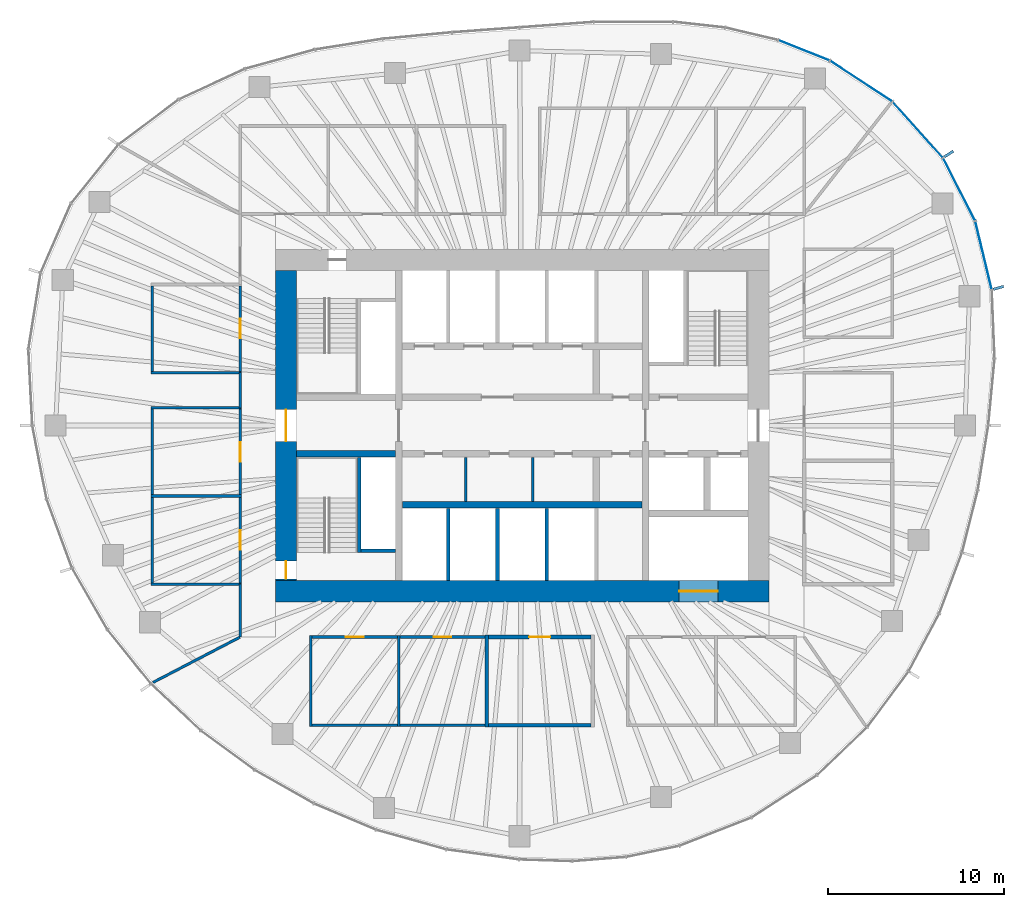
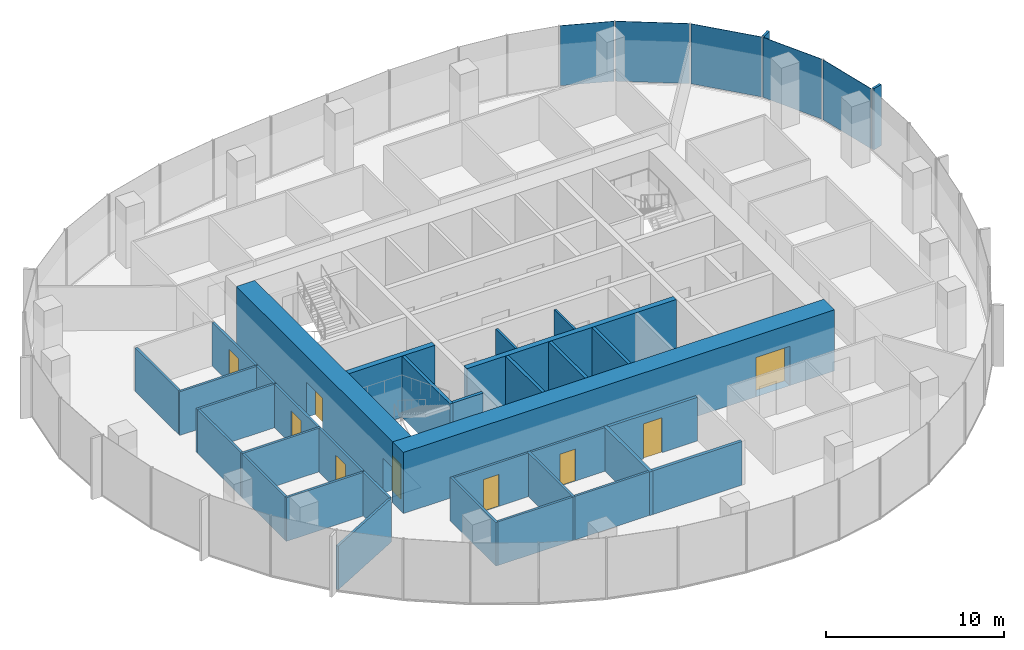
# One storey, part 8 of 12: 33 walls, 9 doors, 7 plates, 9 openings, 3 elements without a shape of their own.
"""IFC4 building model written with IfcOpenShell, lengths in metres."""

from ifc_helpers import new_model, si_unit, direction, frame, frame_2d, origin, origin_2d, place, context, subcontext, project, spatial, rectangle, extrude, material, layer, layer_set, type_object, element, fill, aggregate, save


model = new_model("IFC4")

# Units and contexts
model_context = context("Model", 3, precision=1e-05, world=origin(), true_north=direction((0.0, 1.0)))
body_context = subcontext(model_context, "Body", "Model", "MODEL_VIEW")
ifc_project = project(units=[si_unit("LENGTHUNIT", "METRE"), si_unit("AREAUNIT", "SQUARE_METRE"), si_unit("VOLUMEUNIT", "CUBIC_METRE"), si_unit("PLANEANGLEUNIT", "RADIAN"), si_unit("MASSUNIT", "GRAM", prefix="KILO")], contexts=[model_context])

# Site, building, storey
site_placement = place(None, origin())
site = spatial("IfcSite", under=ifc_project, at=site_placement, CompositionType="ELEMENT")
building_placement = place(site_placement, origin())
building = spatial("IfcBuilding", under=site, at=building_placement, Name="Ghaith Harvest Tower", CompositionType="ELEMENT")
storey_placement = place(building_placement, frame((0.0, 0.0, 253.60009765625)))
storey = spatial("IfcBuildingStorey", under=building, at=storey_placement, Name="L56", CompositionType="ELEMENT", Elevation=253.60009765625)

# Curtain wall, plates
ifc_material_1 = material(Name="Black anodised aluminium and fritted glass", Category="aluminium")
curtain_wall_type = type_object("IfcCurtainWallType", Name="CW-H CURTAIN WALL", PredefinedType="NOTDEFINED", material=ifc_material_1)
curtain_wall_1_placement = place(storey_placement, origin())
curtain_wall_1 = element("IfcCurtainWall", 1, at=curtain_wall_1_placement, inside=storey, type_object=curtain_wall_type, Name="Curtain wall CW-H bay 02 L56", PredefinedType="NOTDEFINED")
ifc_material_2 = material(Name="Glass, dark solar-control fritted double glazed unit", Category="glass")
ifc_layer_1 = layer(ifc_material_2, 0.030029296875)
ifc_layer_set_1 = layer_set([ifc_layer_1], Name="CW-H VISION PANEL")
plate_type_1 = type_object("IfcPlateType", Name="CW-H VISION PANEL", PredefinedType="CURTAIN_PANEL", material=ifc_layer_set_1)
plate_1_placement = place(storey_placement, frame((26.1767578125, 9.6533203125, 0.079833984375), z_axis=(0.0, 0.0, 1.0), x_axis=(-0.233894000303, 0.972262102842, 0.0)))
plate_1 = element("IfcPlate", 2, at=plate_1_placement, type_object=plate_type_1, Name="CW-H glass unit 1 bay 02 L56", PredefinedType="CURTAIN_PANEL", context=body_context, shape_type="SweptSolid", body=[
    extrude(rectangle(XDim=3.935546875, YDim=0.030029296875, at=origin_2d()), origin(), (0.0, 0.0, 1.0), 4.1201171875),
])
plate_2_placement = place(storey_placement, frame((24.790771484375, 13.399658203125, 0.079833984375), z_axis=(0.0, 0.0, 1.0), x_axis=(-0.454915320985, 0.890534699342, 0.0)))
plate_2 = element("IfcPlate", 3, at=plate_2_placement, type_object=plate_type_1, Name="CW-H glass unit 2 bay 02 L56", PredefinedType="CURTAIN_PANEL", context=body_context, shape_type="SweptSolid", body=[
    extrude(rectangle(XDim=3.949462890625, YDim=0.030029296875, at=origin_2d()), origin(), (0.0, 0.0, 1.0), 4.1201171875),
])
aggregate(curtain_wall_1, [plate_1, plate_2])

curtain_wall_2_placement = place(storey_placement, origin())
curtain_wall_2 = element("IfcCurtainWall", 4, at=curtain_wall_2_placement, inside=storey, type_object=curtain_wall_type, Name="Curtain wall CW-H bay 03 L56", PredefinedType="NOTDEFINED")
plate_3_placement = place(storey_placement, frame((22.44384765625, 16.783935546875, 0.079833984375), z_axis=(0.0, 0.0, 1.0), x_axis=(-0.668757736889, 0.743480389352, 0.0)))
plate_3 = element("IfcPlate", 5, at=plate_3_placement, type_object=plate_type_1, Name="CW-H glass unit 1 bay 03 L56", PredefinedType="CURTAIN_PANEL", context=body_context, shape_type="SweptSolid", body=[
    extrude(rectangle(XDim=4.19775390625, YDim=0.030029296875, at=origin_2d()), origin(), (0.0, 0.0, 1.0), 4.1201171875),
])
plate_4_placement = place(storey_placement, frame((19.236328125, 19.539306640625, 0.079833984375), z_axis=(0.0, 0.0, 1.0), x_axis=(-0.836276741583, 0.548307588392, 0.0)))
plate_4 = element("IfcPlate", 6, at=plate_4_placement, type_object=plate_type_1, Name="CW-H glass unit 2 bay 03 L56", PredefinedType="CURTAIN_PANEL", context=body_context, shape_type="SweptSolid", body=[
    extrude(rectangle(XDim=4.169677734375, YDim=0.030029296875, at=origin_2d()), origin(), (0.0, 0.0, 1.0), 4.1201171875),
])
aggregate(curtain_wall_2, [plate_3, plate_4])

# Curtain wall, plate
curtain_wall_3_placement = place(storey_placement, origin())
curtain_wall_3 = element("IfcCurtainWall", 7, at=curtain_wall_3_placement, inside=storey, type_object=curtain_wall_type, Name="Curtain wall CW-H bay 04 L56", PredefinedType="NOTDEFINED")
plate_5_placement = place(storey_placement, frame((15.993408203125, 21.287841796875, 0.079833984375), z_axis=(0.0, 0.0, 1.0), x_axis=(-0.929107322045, 0.369810200133, 0.0)))
plate_5 = element("IfcPlate", 8, at=plate_5_placement, type_object=plate_type_1, Name="CW-H glass unit 1 bay 04 L56", PredefinedType="CURTAIN_PANEL", context=body_context, shape_type="SweptSolid", body=[
    extrude(rectangle(XDim=3.075927734375, YDim=0.030029296875, at=origin_2d()), origin(), (0.0, 0.0, 1.0), 4.1201171875),
])
aggregate(curtain_wall_3, [plate_5])

# Plates
ifc_material_3 = material(Name="Glassfibre-reinforced concrete", Category="concrete")
ifc_layer_2 = layer(ifc_material_3, 0.14990234375)
ifc_layer_set_2 = layer_set([ifc_layer_2], Name="SUN-BREAKER FIN 600x150")
plate_type_2 = type_object("IfcPlateType", Name="SUN-BREAKER FIN 600x150", PredefinedType="USERDEFINED", material=ifc_layer_set_2)
for number, where, z_axis, x_axis, name in (
    (9, (27.03076171875, 7.8125, 0.0), (0.0, 0.0, 1.0), (0.960680349985, 0.277656739792, 0.0), "Sun-breaker fin CW-H 1 bay 02 L56"),
    (10, (24.211669921875, 15.408447265625, 0.0), (0.0, 0.0, 1.0), (0.843643971464, 0.536903016766, 0.0), "Sun-breaker fin CW-H 1 bay 03 L56"),
):
    element("IfcPlate", number, at=place(storey_placement, frame(where, z_axis=z_axis, x_axis=x_axis)), inside=storey, type_object=plate_type_2, Name=name, ObjectType="SUN-BREAKER FIN", PredefinedType="USERDEFINED", context=body_context, shape_type="SweptSolid", body=[
        extrude(rectangle(XDim=0.60009765625, YDim=0.14990234375, at=origin_2d()), origin(), (0.0, 0.0, 1.0), 4.199951171875),
    ])

# Wall
ifc_material_4 = material(Name="Twin-stud gypsum board, acoustic", Category="gypsum")
ifc_layer_3 = layer(ifc_material_4, 0.199951171875)
ifc_layer_set_3 = layer_set([ifc_layer_3], Name="ACOUSTIC PARTITION 200")
wall_type_1 = type_object("IfcWallType", Name="ACOUSTIC PARTITION 200", PredefinedType="PARTITIONING", material=ifc_layer_set_3)
wall_1_placement = place(storey_placement, frame((-2.0, -11.89990234375, 0.0), z_axis=(0.0, 0.0, 1.0), x_axis=(0.0, -1.0, 0.0)))
element("IfcWall", 11, at=wall_1_placement, inside=storey, type_object=wall_type_1, Name="Partition L56 row S4 cross wall 3", PredefinedType="PARTITIONING", context=body_context, shape_type="SweptSolid", body=[
    extrude(rectangle(XDim=5.2001953125, YDim=0.199951171875, at=frame_2d((2.60009765625, 0.0))), origin(), (0.0, 0.0, 1.0), 3.0),
])

# Wall, opening, door
wall_2_placement = place(storey_placement, frame((-1.89990234375, -12.0, 0.0), z_axis=(0.0, 0.0, 1.0), x_axis=(1.0, 0.0, 0.0)))
wall_2 = element("IfcWall", 12, at=wall_2_placement, inside=storey, type_object=wall_type_1, Name="Partition L56-11", PredefinedType="PARTITIONING", context=body_context, shape_type="SweptSolid", body=[
    extrude(rectangle(XDim=5.7998046875, YDim=0.199951171875, at=frame_2d((2.89990234375, 0.0))), origin(), (0.0, 0.0, 1.0), 3.0),
])
opening_1_placement = place(wall_2_placement, frame((2.300048828125, 0.0, 0.0)))
opening_1 = element("IfcOpeningElement", 13, at=opening_1_placement, cuts=wall_2, Name="Opening 56-031", PredefinedType="OPENING", context=body_context, shape_type="SweptSolid", body=[
    extrude(rectangle(XDim=1.199951171875, YDim=2.39990234375, at=frame_2d((0.60009765625, 1.199951171875))), frame((0.0, 0.10986328125, 0.0), z_axis=(0.0, -1.0, 0.0), x_axis=(1.0, 0.0, 0.0)), (0.0, 0.0, 1.0), 0.219970703125),
])
ifc_material_5 = material(Name="Timber door", Category="wood")
door_type_1 = type_object("IfcDoorType", Name="D11 GLAZED 1200x2400", OperationType="SINGLE_SWING_LEFT", PredefinedType="DOOR", material=ifc_material_5)
door_1_placement = place(opening_1_placement, origin())
door_1 = element("IfcDoor", 14, at=door_1_placement, inside=storey, type_object=door_type_1, Name="Meeting room door", OperationType="SINGLE_SWING_LEFT", OverallHeight=2.39990234375, OverallWidth=1.199951171875, PredefinedType="DOOR", context=body_context, shape_type="SweptSolid", body=[
    extrude(rectangle(XDim=1.199951171875, YDim=2.39990234375, at=frame_2d((0.60009765625, 1.199951171875))), frame((0.0, 0.02490234375, 0.0), z_axis=(0.0, -1.0, 0.0), x_axis=(1.0, 0.0, 0.0)), (0.0, 0.0, 1.0), 0.050048828125),
])
fill(opening_1, door_1)

# Walls
wall_3_placement = place(storey_placement, frame((-1.89990234375, -17.0, 0.0), z_axis=(0.0, 0.0, 1.0), x_axis=(1.0, 0.0, 0.0)))
element("IfcWall", 15, at=wall_3_placement, inside=storey, type_object=wall_type_1, Name="Partition L56-11", PredefinedType="PARTITIONING", context=body_context, shape_type="SweptSolid", body=[
    extrude(rectangle(XDim=5.7998046875, YDim=0.199951171875, at=frame_2d((2.89990234375, 0.0))), origin(), (0.0, 0.0, 1.0), 3.0),
])
ifc_material_6 = material(Name="Concrete blockwork, fair-faced", Category="masonry")
ifc_layer_4 = layer(ifc_material_6, 0.139892578125)
ifc_layer_set_4 = layer_set([ifc_layer_4], Name="CORE PARTITION 140")
wall_type_2 = type_object("IfcWallType", Name="CORE PARTITION 140", PredefinedType="PARTITIONING", material=ifc_layer_set_4)
for number, where, z_axis, x_axis, name in (
    (16, (-3.199951171875, -1.800048828125, 0.0), (0.0, 0.0, 1.0), (0.0, -1.0, 0.0), "Core partition L56"),
    (17, (0.60009765625, -1.800048828125, 0.0), (0.0, 0.0, 1.0), (0.0, -1.0, 0.0), "Core partition L56"),
):
    element("IfcWall", number, at=place(storey_placement, frame(where, z_axis=z_axis, x_axis=x_axis)), inside=storey, type_object=wall_type_2, Name=name, PredefinedType="PARTITIONING", context=body_context, shape_type="SweptSolid", body=[
        extrude(rectangle(XDim=2.5, YDim=0.139892578125, at=frame_2d((1.25, 0.0))), origin(), (0.0, 0.0, 1.0), 3.949951171875),
    ])

# Wall, opening, door
ifc_material_7 = material(Name="Concrete C60/75", Category="concrete")
ifc_layer_5 = layer(ifc_material_7, 1.199951171875)
ifc_layer_set_5 = layer_set([ifc_layer_5], Name="CORE WALL CW1200 C60")
wall_type_3 = type_object("IfcWallType", Name="CORE WALL CW1200 C60", PredefinedType="SHEAR", material=ifc_layer_set_5)
wall_4_placement = place(storey_placement, frame((-14.0, -9.39990234375, 0.0), z_axis=(0.0, 0.0, 1.0), x_axis=(1.0, 0.0, 0.0)))
wall_4 = element("IfcWall", 18, at=wall_4_placement, inside=storey, type_object=wall_type_3, Name="Core wall S L56", PredefinedType="SHEAR", context=body_context, shape_type="SweptSolid", body=[
    extrude(rectangle(XDim=28.0, YDim=1.199951171875, at=frame_2d((14.0, 0.0))), origin(), (0.0, 0.0, 1.0), 4.199951171875),
])
opening_2_placement = place(wall_4_placement, frame((22.89990234375, 0.0, 0.0)))
opening_2 = element("IfcOpeningElement", 19, at=opening_2_placement, cuts=wall_4, Name="Opening 56-020", PredefinedType="OPENING", context=body_context, shape_type="SweptSolid", body=[
    extrude(rectangle(XDim=2.199951171875, YDim=2.699951171875, at=frame_2d((1.10009765625, 1.35009765625))), frame((0.0, 0.60986328125, 0.0), z_axis=(0.0, -1.0, 0.0), x_axis=(1.0, 0.0, 0.0)), (0.0, 0.0, 1.0), 1.219970703125),
])
ifc_material_8 = material(Name="Steel fire door", Category="steel")
door_type_2 = type_object("IfcDoorType", Name="LD3 LANDING 2200x2700", OperationType="DOUBLE_DOOR_SLIDING", PredefinedType="DOOR", material=ifc_material_8)
door_2_placement = place(opening_2_placement, origin())
door_2 = element("IfcDoor", 20, at=door_2_placement, inside=storey, type_object=door_type_2, Name="Landing door, goods lift GL1", OperationType="DOUBLE_DOOR_SLIDING", OverallHeight=2.699951171875, OverallWidth=2.199951171875, PredefinedType="DOOR", context=body_context, shape_type="SweptSolid", body=[
    extrude(rectangle(XDim=2.199951171875, YDim=2.699951171875, at=frame_2d((1.10009765625, 1.35009765625))), frame((0.0, 0.02490234375, 0.0), z_axis=(0.0, -1.0, 0.0), x_axis=(1.0, 0.0, 0.0)), (0.0, 0.0, 1.0), 0.050048828125),
])
fill(opening_2, door_2)

# Wall, openings, doors
wall_5_placement = place(storey_placement, frame((-13.39990234375, 8.800048828125, 0.0), z_axis=(0.0, 0.0, 1.0), x_axis=(0.0, -1.0, 0.0)))
wall_5 = element("IfcWall", 21, at=wall_5_placement, inside=storey, type_object=wall_type_3, Name="Core wall W L56", PredefinedType="SHEAR", context=body_context, shape_type="SweptSolid", body=[
    extrude(rectangle(XDim=17.60009765625, YDim=1.199951171875, at=frame_2d((8.800048828125, 0.0))), origin(), (0.0, 0.0, 1.0), 4.199951171875),
])
opening_3_placement = place(wall_5_placement, frame((7.89990234375, 0.0, 0.0)))
opening_3 = element("IfcOpeningElement", 22, at=opening_3_placement, cuts=wall_5, Name="Opening 56-001", PredefinedType="OPENING", context=body_context, shape_type="SweptSolid", body=[
    extrude(rectangle(XDim=1.800048828125, YDim=2.39990234375, at=frame_2d((0.89990234375, 1.199951171875))), frame((0.0, 0.60986328125, 0.0), z_axis=(0.0, -1.0, 0.0), x_axis=(1.0, 0.0, 0.0)), (0.0, 0.0, 1.0), 1.219970703125),
])
opening_4_placement = place(wall_5_placement, frame((16.5, 0.0, 0.0)))
opening_4 = element("IfcOpeningElement", 23, at=opening_4_placement, cuts=wall_5, Name="Opening 56-006", PredefinedType="OPENING", context=body_context, shape_type="SweptSolid", body=[
    extrude(rectangle(XDim=1.0, YDim=2.39990234375, at=frame_2d((0.5, 1.199951171875))), frame((0.0, 0.60986328125, 0.0), z_axis=(0.0, -1.0, 0.0), x_axis=(1.0, 0.0, 0.0)), (0.0, 0.0, 1.0), 1.219970703125),
])
ifc_material_9 = material(Name="Steel fire door", Category="steel")
door_type_3 = type_object("IfcDoorType", Name="D3 FD90 1000x2400", OperationType="SINGLE_SWING_LEFT", PredefinedType="DOOR", material=ifc_material_9)
door_3_placement = place(opening_4_placement, origin())
door_3 = element("IfcDoor", 24, at=door_3_placement, inside=storey, type_object=door_type_3, Name="Stair ST3 door", OperationType="SINGLE_SWING_RIGHT", OverallHeight=2.39990234375, OverallWidth=1.0, PredefinedType="DOOR", context=body_context, shape_type="SweptSolid", body=[
    extrude(rectangle(XDim=1.0, YDim=2.39990234375, at=frame_2d((0.5, 1.199951171875))), frame((0.0, 0.02490234375, 0.0), z_axis=(0.0, -1.0, 0.0), x_axis=(1.0, 0.0, 0.0)), (0.0, 0.0, 1.0), 0.050048828125),
])
fill(opening_4, door_3)
ifc_material_10 = material(Name="Steel fire door", Category="steel")
door_type_4 = type_object("IfcDoorType", Name="D4 FD90 PAIR 1800x2400", OperationType="DOUBLE_DOOR_SINGLE_SWING", PredefinedType="DOOR", material=ifc_material_10)
door_4_placement = place(opening_3_placement, origin())
door_4 = element("IfcDoor", 25, at=door_4_placement, inside=storey, type_object=door_type_4, Name="West lobby doors", OperationType="DOUBLE_DOOR_SINGLE_SWING", OverallHeight=2.39990234375, OverallWidth=1.800048828125, PredefinedType="DOOR", context=body_context, shape_type="SweptSolid", body=[
    extrude(rectangle(XDim=1.800048828125, YDim=2.39990234375, at=frame_2d((0.89990234375, 1.199951171875))), frame((0.0, 0.02490234375, 0.0), z_axis=(0.0, -1.0, 0.0), x_axis=(1.0, 0.0, 0.0)), (0.0, 0.0, 1.0), 0.050048828125),
])
fill(opening_3, door_4)

# Walls
ifc_material_11 = material(Name="Concrete blockwork, 2-hour", Category="masonry")
ifc_layer_6 = layer(ifc_material_11, 0.199951171875)
ifc_layer_set_6 = layer_set([ifc_layer_6], Name="LIFT SHAFT WALL 200")
wall_type_4 = type_object("IfcWallType", Name="LIFT SHAFT WALL 200", PredefinedType="PARTITIONING", material=ifc_layer_set_6)
for number, where, z_axis, x_axis, name in (
    (26, (-4.199951171875, -4.699951171875, 0.0), (0.0, 0.0, 1.0), (0.0, -1.0, 0.0), "Lift shaft wall L56"),
    (27, (-1.39990234375, -4.699951171875, 0.0), (0.0, 0.0, 1.0), (0.0, -1.0, 0.0), "Lift shaft wall L56"),
    (28, (1.39990234375, -4.699951171875, 0.0), (0.0, 0.0, 1.0), (0.0, -1.0, 0.0), "Lift shaft wall L56"),
):
    element("IfcWall", number, at=place(storey_placement, frame(where, z_axis=z_axis, x_axis=x_axis)), inside=storey, type_object=wall_type_4, Name=name, PredefinedType="PARTITIONING", context=body_context, shape_type="SweptSolid", body=[
        extrude(rectangle(XDim=4.10009765625, YDim=0.199951171875, at=frame_2d((2.050048828125, 0.0))), origin(), (0.0, 0.0, 1.0), 4.199951171875),
    ])
ifc_material_12 = material(Name="Gypsum board on steel studs", Category="steel")
ifc_layer_7 = layer(ifc_material_12, 0.14990234375)
ifc_layer_set_7 = layer_set([ifc_layer_7], Name="PARTITION 150")
wall_type_5 = type_object("IfcWallType", Name="PARTITION 150", PredefinedType="PARTITIONING", material=ifc_layer_set_7)
for number, where, z_axis, x_axis, name in (
    (29, (-12.0, -11.925048828125, 0.0), (0.0, 0.0, 1.0), (0.0, -1.0, 0.0), "Partition L56 row S4 cross wall 1"),
    (30, (-7.0, -11.925048828125, 0.0), (0.0, 0.0, 1.0), (0.0, -1.0, 0.0), "Partition L56 row S4 cross wall 2"),
):
    element("IfcWall", number, at=place(storey_placement, frame(where, z_axis=z_axis, x_axis=x_axis)), inside=storey, type_object=wall_type_5, Name=name, PredefinedType="PARTITIONING", context=body_context, shape_type="SweptSolid", body=[
        extrude(rectangle(XDim=5.14990234375, YDim=0.14990234375, at=frame_2d((2.574951171875, 0.0))), origin(), (0.0, 0.0, 1.0), 3.0),
    ])

# Wall, opening, door
wall_6_placement = place(storey_placement, frame((-11.925048828125, -12.0, 0.0), z_axis=(0.0, 0.0, 1.0), x_axis=(1.0, 0.0, 0.0)))
wall_6 = element("IfcWall", 31, at=wall_6_placement, inside=storey, type_object=wall_type_5, Name="Partition L56-09", PredefinedType="PARTITIONING", context=body_context, shape_type="SweptSolid", body=[
    extrude(rectangle(XDim=4.85009765625, YDim=0.14990234375, at=frame_2d((2.425048828125, 0.0))), origin(), (0.0, 0.0, 1.0), 3.0),
])
opening_5_placement = place(wall_6_placement, frame((1.925048828125, 0.0, 0.0)))
opening_5 = element("IfcOpeningElement", 32, at=opening_5_placement, cuts=wall_6, Name="Opening 56-029", PredefinedType="OPENING", context=body_context, shape_type="SweptSolid", body=[
    extrude(rectangle(XDim=1.0, YDim=2.199951171875, at=frame_2d((0.5, 1.10009765625))), frame((0.0, 0.0849609375, 0.0), z_axis=(0.0, -1.0, 0.0), x_axis=(1.0, 0.0, 0.0)), (0.0, 0.0, 1.0), 0.169921875),
])
ifc_material_13 = material(Name="Timber door", Category="wood")
door_type_5 = type_object("IfcDoorType", Name="D1 SINGLE 1000x2200", OperationType="SINGLE_SWING_LEFT", PredefinedType="DOOR", material=ifc_material_13)
door_5_placement = place(opening_5_placement, origin())
door_5 = element("IfcDoor", 33, at=door_5_placement, inside=storey, type_object=door_type_5, Name="Store door", OperationType="SINGLE_SWING_LEFT", OverallHeight=2.199951171875, OverallWidth=1.0, PredefinedType="DOOR", context=body_context, shape_type="SweptSolid", body=[
    extrude(rectangle(XDim=1.0, YDim=2.199951171875, at=frame_2d((0.5, 1.10009765625))), frame((0.0, 0.02490234375, 0.0), z_axis=(0.0, -1.0, 0.0), x_axis=(1.0, 0.0, 0.0)), (0.0, 0.0, 1.0), 0.050048828125),
])
fill(opening_5, door_5)

# Wall
wall_7_placement = place(storey_placement, frame((-11.925048828125, -17.0, 0.0), z_axis=(0.0, 0.0, 1.0), x_axis=(1.0, 0.0, 0.0)))
element("IfcWall", 34, at=wall_7_placement, inside=storey, type_object=wall_type_5, Name="Partition L56-09", PredefinedType="PARTITIONING", context=body_context, shape_type="SweptSolid", body=[
    extrude(rectangle(XDim=4.85009765625, YDim=0.14990234375, at=frame_2d((2.425048828125, 0.0))), origin(), (0.0, 0.0, 1.0), 3.0),
])

# Wall, opening, door
wall_8_placement = place(storey_placement, frame((-6.925048828125, -12.0, 0.0), z_axis=(0.0, 0.0, 1.0), x_axis=(1.0, 0.0, 0.0)))
wall_8 = element("IfcWall", 35, at=wall_8_placement, inside=storey, type_object=wall_type_5, Name="Partition L56-10", PredefinedType="PARTITIONING", context=body_context, shape_type="SweptSolid", body=[
    extrude(rectangle(XDim=4.824951171875, YDim=0.14990234375, at=frame_2d((2.41259765625, 0.0))), origin(), (0.0, 0.0, 1.0), 3.0),
])
opening_6_placement = place(wall_8_placement, frame((1.91259765625, 0.0, 0.0)))
opening_6 = element("IfcOpeningElement", 36, at=opening_6_placement, cuts=wall_8, Name="Opening 56-030", PredefinedType="OPENING", context=body_context, shape_type="SweptSolid", body=[
    extrude(rectangle(XDim=1.0, YDim=2.199951171875, at=frame_2d((0.5, 1.10009765625))), frame((0.0, 0.0849609375, 0.0), z_axis=(0.0, -1.0, 0.0), x_axis=(1.0, 0.0, 0.0)), (0.0, 0.0, 1.0), 0.169921875),
])
door_6_placement = place(opening_6_placement, origin())
door_6 = element("IfcDoor", 37, at=door_6_placement, inside=storey, type_object=door_type_5, Name="Pantry door", OperationType="SINGLE_SWING_LEFT", OverallHeight=2.199951171875, OverallWidth=1.0, PredefinedType="DOOR", context=body_context, shape_type="SweptSolid", body=[
    extrude(rectangle(XDim=1.0, YDim=2.199951171875, at=frame_2d((0.5, 1.10009765625))), frame((0.0, 0.02490234375, 0.0), z_axis=(0.0, -1.0, 0.0), x_axis=(1.0, 0.0, 0.0)), (0.0, 0.0, 1.0), 0.050048828125),
])
fill(opening_6, door_6)

# Walls
wall_9_placement = place(storey_placement, frame((-6.925048828125, -17.0, 0.0), z_axis=(0.0, 0.0, 1.0), x_axis=(1.0, 0.0, 0.0)))
element("IfcWall", 38, at=wall_9_placement, inside=storey, type_object=wall_type_5, Name="Partition L56-10", PredefinedType="PARTITIONING", context=body_context, shape_type="SweptSolid", body=[
    extrude(rectangle(XDim=4.824951171875, YDim=0.14990234375, at=frame_2d((2.41259765625, 0.0))), origin(), (0.0, 0.0, 1.0), 3.0),
])
for number, where, z_axis, x_axis, name in (
    (39, (-15.925048828125, -9.0, 0.0), (0.0, 0.0, 1.0), (-1.0, 0.0, 0.0), "Partition L56 row W5 cross wall 1"),
    (40, (-15.925048828125, -4.0, 0.0), (0.0, 0.0, 1.0), (-1.0, 0.0, 0.0), "Partition L56 row W5 cross wall 2"),
    (41, (-15.925048828125, 1.0, 0.0), (0.0, 0.0, 1.0), (-1.0, 0.0, 0.0), "Partition L56 row W5 cross wall 3"),
):
    element("IfcWall", number, at=place(storey_placement, frame(where, z_axis=z_axis, x_axis=x_axis)), inside=storey, type_object=wall_type_5, Name=name, PredefinedType="PARTITIONING", context=body_context, shape_type="SweptSolid", body=[
        extrude(rectangle(XDim=5.14990234375, YDim=0.14990234375, at=frame_2d((2.574951171875, 0.0))), origin(), (0.0, 0.0, 1.0), 3.0),
    ])

# Wall, opening, door
wall_10_placement = place(storey_placement, frame((-16.0, -8.925048828125, 0.0), z_axis=(0.0, 0.0, 1.0), x_axis=(0.0, 1.0, 0.0)))
wall_10 = element("IfcWall", 42, at=wall_10_placement, inside=storey, type_object=wall_type_5, Name="Partition L56-12", PredefinedType="PARTITIONING", context=body_context, shape_type="SweptSolid", body=[
    extrude(rectangle(XDim=4.85009765625, YDim=0.14990234375, at=frame_2d((2.425048828125, 0.0))), origin(), (0.0, 0.0, 1.0), 3.0),
])
opening_7_placement = place(wall_10_placement, frame((1.875, 0.0, 0.0)))
opening_7 = element("IfcOpeningElement", 43, at=opening_7_placement, cuts=wall_10, Name="Opening 56-032", PredefinedType="OPENING", context=body_context, shape_type="SweptSolid", body=[
    extrude(rectangle(XDim=1.10009765625, YDim=2.300048828125, at=frame_2d((0.550048828125, 1.14990234375))), frame((0.0, 0.0849609375, 0.0), z_axis=(0.0, -1.0, 0.0), x_axis=(1.0, 0.0, 0.0)), (0.0, 0.0, 1.0), 0.169921875),
])
ifc_material_14 = material(Name="Timber-framed glazed door", Category="wood")
door_type_6 = type_object("IfcDoorType", Name="D12 GLAZED OFFICE 1100x2300", OperationType="SINGLE_SWING_LEFT", PredefinedType="DOOR", material=ifc_material_14)
door_7_placement = place(opening_7_placement, origin())
door_7 = element("IfcDoor", 44, at=door_7_placement, inside=storey, type_object=door_type_6, Name="Executive office door", OperationType="SINGLE_SWING_LEFT", OverallHeight=2.300048828125, OverallWidth=1.10009765625, PredefinedType="DOOR", context=body_context, shape_type="SweptSolid", body=[
    extrude(rectangle(XDim=1.10009765625, YDim=2.300048828125, at=frame_2d((0.550048828125, 1.14990234375))), frame((0.0, 0.02490234375, 0.0), z_axis=(0.0, -1.0, 0.0), x_axis=(1.0, 0.0, 0.0)), (0.0, 0.0, 1.0), 0.050048828125),
])
fill(opening_7, door_7)

# Wall
wall_11_placement = place(storey_placement, frame((-21.0, -8.925048828125, 0.0), z_axis=(0.0, 0.0, 1.0), x_axis=(0.0, 1.0, 0.0)))
element("IfcWall", 45, at=wall_11_placement, inside=storey, type_object=wall_type_5, Name="Partition L56-12", PredefinedType="PARTITIONING", context=body_context, shape_type="SweptSolid", body=[
    extrude(rectangle(XDim=4.85009765625, YDim=0.14990234375, at=frame_2d((2.425048828125, 0.0))), origin(), (0.0, 0.0, 1.0), 3.0),
])

# Wall, opening, door
wall_12_placement = place(storey_placement, frame((-16.0, -3.925048828125, 0.0), z_axis=(0.0, 0.0, 1.0), x_axis=(0.0, 1.0, 0.0)))
wall_12 = element("IfcWall", 46, at=wall_12_placement, inside=storey, type_object=wall_type_5, Name="Partition L56-13", PredefinedType="PARTITIONING", context=body_context, shape_type="SweptSolid", body=[
    extrude(rectangle(XDim=4.85009765625, YDim=0.14990234375, at=frame_2d((2.425048828125, 0.0))), origin(), (0.0, 0.0, 1.0), 3.0),
])
opening_8_placement = place(wall_12_placement, frame((1.875, 0.0, 0.0)))
opening_8 = element("IfcOpeningElement", 47, at=opening_8_placement, cuts=wall_12, Name="Opening 56-033", PredefinedType="OPENING", context=body_context, shape_type="SweptSolid", body=[
    extrude(rectangle(XDim=1.10009765625, YDim=2.300048828125, at=frame_2d((0.550048828125, 1.14990234375))), frame((0.0, 0.0849609375, 0.0), z_axis=(0.0, -1.0, 0.0), x_axis=(1.0, 0.0, 0.0)), (0.0, 0.0, 1.0), 0.169921875),
])
door_8_placement = place(opening_8_placement, origin())
door_8 = element("IfcDoor", 48, at=door_8_placement, inside=storey, type_object=door_type_6, Name="Executive office door", OperationType="SINGLE_SWING_LEFT", OverallHeight=2.300048828125, OverallWidth=1.10009765625, PredefinedType="DOOR", context=body_context, shape_type="SweptSolid", body=[
    extrude(rectangle(XDim=1.10009765625, YDim=2.300048828125, at=frame_2d((0.550048828125, 1.14990234375))), frame((0.0, 0.02490234375, 0.0), z_axis=(0.0, -1.0, 0.0), x_axis=(1.0, 0.0, 0.0)), (0.0, 0.0, 1.0), 0.050048828125),
])
fill(opening_8, door_8)

# Walls
wall_13_placement = place(storey_placement, frame((-21.0, -3.925048828125, 0.0), z_axis=(0.0, 0.0, 1.0), x_axis=(0.0, 1.0, 0.0)))
element("IfcWall", 49, at=wall_13_placement, inside=storey, type_object=wall_type_5, Name="Partition L56-13", PredefinedType="PARTITIONING", context=body_context, shape_type="SweptSolid", body=[
    extrude(rectangle(XDim=4.85009765625, YDim=0.14990234375, at=frame_2d((2.425048828125, 0.0))), origin(), (0.0, 0.0, 1.0), 3.0),
])
wall_14_placement = place(storey_placement, frame((-15.925048828125, 3.0, 0.0), z_axis=(0.0, 0.0, 1.0), x_axis=(-1.0, 0.0, 0.0)))
element("IfcWall", 50, at=wall_14_placement, inside=storey, type_object=wall_type_5, Name="Partition L56 row W8 cross wall 1", PredefinedType="PARTITIONING", context=body_context, shape_type="SweptSolid", body=[
    extrude(rectangle(XDim=5.14990234375, YDim=0.14990234375, at=frame_2d((2.574951171875, 0.0))), origin(), (0.0, 0.0, 1.0), 3.0),
])

# Wall, opening, door
wall_15_placement = place(storey_placement, frame((-16.0, 3.074951171875, 0.0), z_axis=(0.0, 0.0, 1.0), x_axis=(0.0, 1.0, 0.0)))
wall_15 = element("IfcWall", 51, at=wall_15_placement, inside=storey, type_object=wall_type_5, Name="Partition L56-17", PredefinedType="PARTITIONING", context=body_context, shape_type="SweptSolid", body=[
    extrude(rectangle(XDim=4.85009765625, YDim=0.14990234375, at=frame_2d((2.425048828125, 0.0))), origin(), (0.0, 0.0, 1.0), 3.0),
])
opening_9_placement = place(wall_15_placement, frame((1.875, 0.0, 0.0)))
opening_9 = element("IfcOpeningElement", 52, at=opening_9_placement, cuts=wall_15, Name="Opening 56-037", PredefinedType="OPENING", context=body_context, shape_type="SweptSolid", body=[
    extrude(rectangle(XDim=1.10009765625, YDim=2.300048828125, at=frame_2d((0.550048828125, 1.14990234375))), frame((0.0, 0.0849609375, 0.0), z_axis=(0.0, -1.0, 0.0), x_axis=(1.0, 0.0, 0.0)), (0.0, 0.0, 1.0), 0.169921875),
])
door_9_placement = place(opening_9_placement, origin())
door_9 = element("IfcDoor", 53, at=door_9_placement, inside=storey, type_object=door_type_6, Name="Executive office door", OperationType="SINGLE_SWING_LEFT", OverallHeight=2.300048828125, OverallWidth=1.10009765625, PredefinedType="DOOR", context=body_context, shape_type="SweptSolid", body=[
    extrude(rectangle(XDim=1.10009765625, YDim=2.300048828125, at=frame_2d((0.550048828125, 1.14990234375))), frame((0.0, 0.02490234375, 0.0), z_axis=(0.0, -1.0, 0.0), x_axis=(1.0, 0.0, 0.0)), (0.0, 0.0, 1.0), 0.050048828125),
])
fill(opening_9, door_9)

# Walls
wall_16_placement = place(storey_placement, frame((-21.0, 3.074951171875, 0.0), z_axis=(0.0, 0.0, 1.0), x_axis=(0.0, 1.0, 0.0)))
element("IfcWall", 54, at=wall_16_placement, inside=storey, type_object=wall_type_5, Name="Partition L56-17", PredefinedType="PARTITIONING", context=body_context, shape_type="SweptSolid", body=[
    extrude(rectangle(XDim=4.85009765625, YDim=0.14990234375, at=frame_2d((2.425048828125, 0.0))), origin(), (0.0, 0.0, 1.0), 3.0),
])
wall_17_placement = place(storey_placement, frame((-16.017578125, -12.00927734375, 0.0), z_axis=(0.0, 0.0, 1.0), x_axis=(-0.886831549241, -0.462092851351, 0.0)))
element("IfcWall", 55, at=wall_17_placement, inside=storey, type_object=wall_type_5, Name="Partition L56 zone division", PredefinedType="PARTITIONING", context=body_context, shape_type="SweptSolid", body=[
    extrude(rectangle(XDim=5.555419921875, YDim=0.14990234375, at=frame_2d((2.77783203125, 0.0))), origin(), (0.0, 0.0, 1.0), 3.0),
])
wall_18_placement = place(storey_placement, frame((-16.0, -9.0, 0.0), z_axis=(0.0, 0.0, 1.0), x_axis=(0.0, -1.0, 0.0)))
element("IfcWall", 56, at=wall_18_placement, inside=storey, type_object=wall_type_5, Name="Partition L56 zone enclosure", PredefinedType="PARTITIONING", context=body_context, shape_type="SweptSolid", body=[
    extrude(rectangle(XDim=3.0, YDim=0.14990234375, at=frame_2d((1.5, 0.0))), origin(), (0.0, 0.0, 1.0), 3.0),
])
wall_19_placement = place(storey_placement, frame((-16.0, 3.0, 0.0), z_axis=(0.0, 0.0, 1.0), x_axis=(0.0, -1.0, 0.0)))
element("IfcWall", 57, at=wall_19_placement, inside=storey, type_object=wall_type_5, Name="Partition L56 zone enclosure", PredefinedType="PARTITIONING", context=body_context, shape_type="SweptSolid", body=[
    extrude(rectangle(XDim=2.0, YDim=0.14990234375, at=frame_2d((1.0, 0.0))), origin(), (0.0, 0.0, 1.0), 3.0),
])
ifc_material_15 = material(Name="Concrete C60/75", Category="concrete")
ifc_layer_8 = layer(ifc_material_15, 0.35009765625)
ifc_layer_set_8 = layer_set([ifc_layer_8], Name="SHAFT WALL 350")
wall_type_6 = type_object("IfcWallType", Name="SHAFT WALL 350", PredefinedType="SHEAR", material=ifc_layer_set_8)
wall_20_placement = place(storey_placement, frame((-6.800048828125, -4.5, 0.0), z_axis=(0.0, 0.0, 1.0), x_axis=(1.0, 0.0, 0.0)))
element("IfcWall", 58, at=wall_20_placement, inside=storey, type_object=wall_type_6, Name="Shaft wall BS L56", PredefinedType="SHEAR", context=body_context, shape_type="SweptSolid", body=[
    extrude(rectangle(XDim=13.60009765625, YDim=0.35009765625, at=frame_2d((6.800048828125, 0.0))), origin(), (0.0, 0.0, 1.0), 4.199951171875),
])
wall_21_placement = place(storey_placement, frame((-12.800048828125, -1.60009765625, 0.0), z_axis=(0.0, 0.0, 1.0), x_axis=(1.0, 0.0, 0.0)))
element("IfcWall", 59, at=wall_21_placement, inside=storey, type_object=wall_type_6, Name="Shaft wall WS L56", PredefinedType="SHEAR", context=body_context, shape_type="SweptSolid", body=[
    extrude(rectangle(XDim=5.60009765625, YDim=0.35009765625, at=frame_2d((2.800048828125, 0.0))), origin(), (0.0, 0.0, 1.0), 4.199951171875),
])
ifc_material_16 = material(Name="Concrete C40/50", Category="concrete")
ifc_layer_9 = layer(ifc_material_16, 0.199951171875)
ifc_layer_set_9 = layer_set([ifc_layer_9], Name="STAIR SPINE WALL RC200")
wall_type_7 = type_object("IfcWallType", Name="STAIR SPINE WALL RC200", PredefinedType="SOLIDWALL", material=ifc_layer_set_9)
wall_22_placement = place(storey_placement, frame((-9.25, -7.199951171875, 0.0), z_axis=(0.0, 0.0, 1.0), x_axis=(0.0, 1.0, 0.0)))
element("IfcWall", 60, at=wall_22_placement, inside=storey, type_object=wall_type_7, Name="Stair ST3 spine wall L56", PredefinedType="SOLIDWALL", context=body_context, shape_type="SweptSolid", body=[
    extrude(rectangle(XDim=5.39990234375, YDim=0.199951171875, at=frame_2d((2.699951171875, 0.0))), origin(), (0.0, 0.0, 1.0), 4.199951171875),
])
wall_23_placement = place(storey_placement, frame((-9.14990234375, -7.10009765625, 0.0), z_axis=(0.0, 0.0, 1.0), x_axis=(1.0, 0.0, 0.0)))
element("IfcWall", 61, at=wall_23_placement, inside=storey, type_object=wall_type_7, Name="Stair ST3 spine wall return L56", PredefinedType="SOLIDWALL", context=body_context, shape_type="SweptSolid", body=[
    extrude(rectangle(XDim=1.949951171875, YDim=0.199951171875, at=frame_2d((0.97509765625, 0.0))), origin(), (0.0, 0.0, 1.0), 4.199951171875),
])

save(model, "model.ifc")
